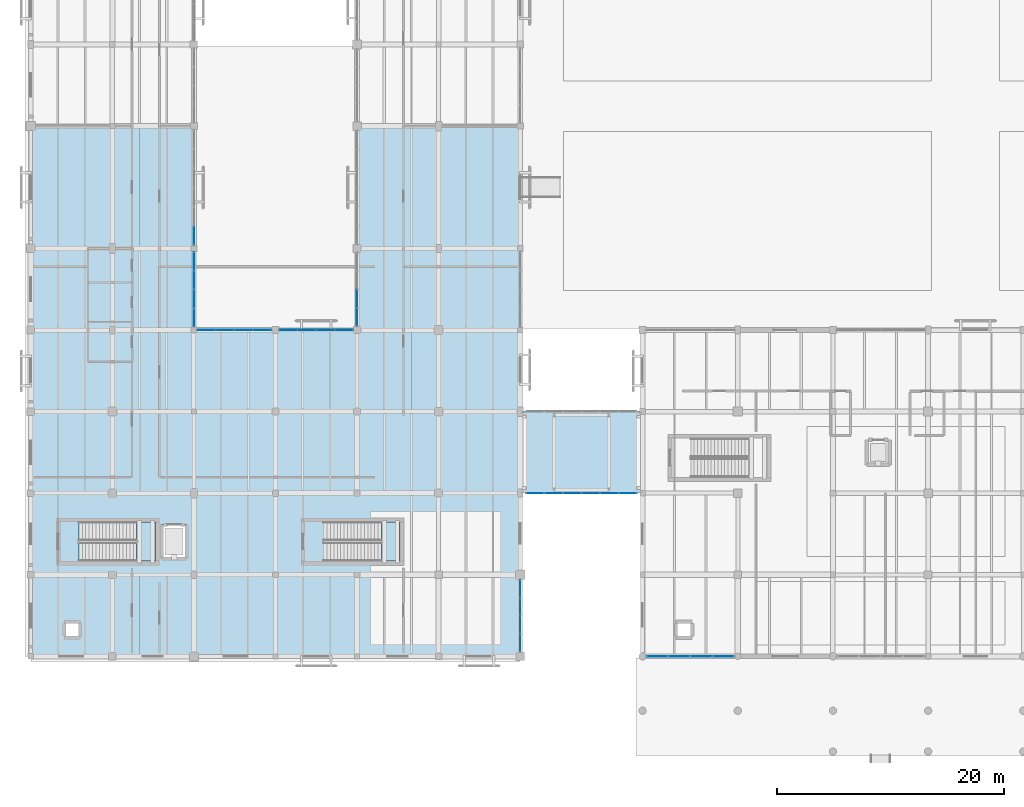
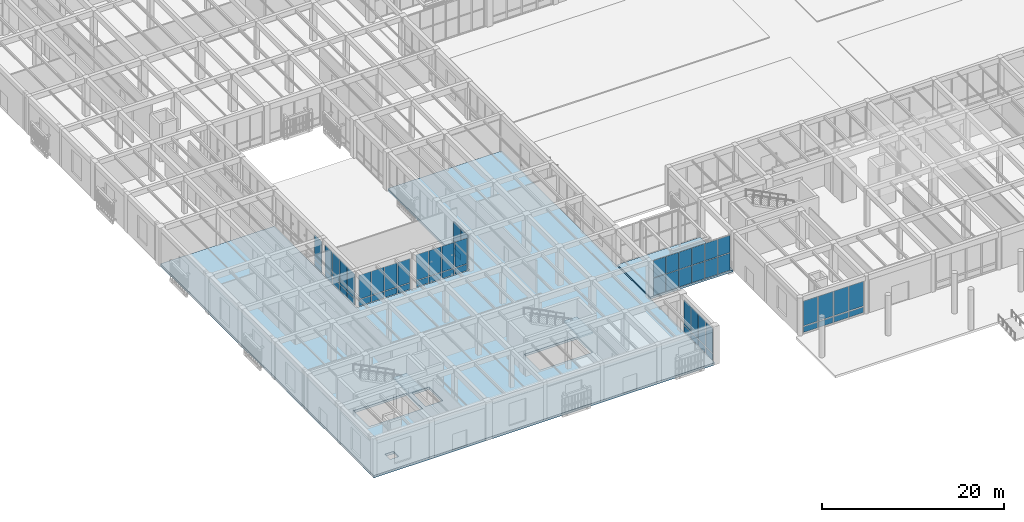
# One storey, part 109 of 169: 58 plates, 4 slabs, 10 elements without a shape of their own.
"""IFC4 building model written with IfcOpenShell, lengths in metres."""

from ifc_helpers import new_model, si_unit, direction, frame, origin, origin_2d, place, context, subcontext, project, spatial, polyline, rectangle, outline, extrude, material, layer, layer_set, type_object, element, aggregate, save


model = new_model("IFC4")

# Units and contexts
model_context = context("Model", 3, precision=1e-05, world=origin(), true_north=direction((0.0, 1.0)))
body_context = subcontext(model_context, "Body", "Model", "MODEL_VIEW")
ifc_project = project(units=[si_unit("LENGTHUNIT", "METRE"), si_unit("AREAUNIT", "SQUARE_METRE"), si_unit("VOLUMEUNIT", "CUBIC_METRE"), si_unit("PLANEANGLEUNIT", "RADIAN"), si_unit("MASSUNIT", "GRAM", prefix="KILO")], contexts=[model_context])

# Site, building, storey
site_placement = place(None, origin())
site = spatial("IfcSite", under=ifc_project, at=site_placement, CompositionType="ELEMENT")
building_placement = place(site_placement, origin())
building = spatial("IfcBuilding", under=site, at=building_placement, Name="Mazaris Harbour Polytechnic", CompositionType="ELEMENT")
storey_placement = place(building_placement, origin())
storey = spatial("IfcBuildingStorey", under=building, at=storey_placement, Name="L00", CompositionType="ELEMENT", Elevation=0.0)

# Slab
ifc_material_1 = material(Name="Glulam GL28h and Concrete C30/37", Category="concrete")
ifc_layer_1 = layer(ifc_material_1, 0.264892578125, Name="Glulam GL28h and Concrete C30/37")
ifc_layer_set_1 = layer_set([ifc_layer_1], Name="Glulam GL28h and Concrete C30/37")
slab_type_1 = type_object("IfcSlabType", Name="CLT Composite Floor 265", PredefinedType="FLOOR", material=ifc_layer_set_1)
slab_1_placement = place(storey_placement, frame((0.0, 0.0, -0.264892578125)))
element("IfcSlab", 1, at=slab_1_placement, inside=storey, type_object=slab_type_1, Name="PB-W1 L00 Bridge Deck", PredefinedType="FLOOR", context=body_context, shape_type="SweptSolid", body=[
    extrude(outline(polyline([(53.85009765625, 21.60009765625), (53.85009765625, 28.800048828125), (43.35009765625, 28.800048828125), (43.35009765625, 21.60009765625), (53.85009765625, 21.60009765625)])), origin(), (0.0, 0.0, 1.0), 0.264892578125),
])

# Curtain wall, plates
ifc_material_2 = material(Name="Anodised Bronze Aluminium and Low-E Glass", Category="aluminium")
ifc_layer_2 = layer(ifc_material_2, 0.179931640625, Name="Anodised Bronze Aluminium and Low-E Glass")
ifc_layer_set_2 = layer_set([ifc_layer_2], Name="Anodised Bronze Aluminium and Low-E Glass")
curtain_wall_type_1 = type_object("IfcCurtainWallType", Name="Harbour Colonnade Curtain Wall", PredefinedType="NOTDEFINED", material=ifc_layer_set_2)
curtain_wall_1_placement = place(storey_placement, origin())
curtain_wall_1 = element("IfcCurtainWall", 2, at=curtain_wall_1_placement, inside=storey, type_object=curtain_wall_type_1, Name="V3 L00 Curtain Wall 60", PredefinedType="NOTDEFINED")
ifc_material_3 = material(Name="Low-E Double Glazing", Category="glass")
ifc_layer_3 = layer(ifc_material_3, 0.028076171875, Name="Low-E Double Glazing")
ifc_layer_set_3 = layer_set([ifc_layer_3], Name="Low-E Double Glazing")
plate_type = type_object("IfcPlateType", Name="Low-E Vision Glass Panel 28", PredefinedType="CURTAIN_PANEL", material=ifc_layer_set_3)
plate_1_placement = place(storey_placement, frame((61.131103515625, 7.199951171875, 0.119873046875), z_axis=(0.0, 0.0, 1.0), x_axis=(-1.0, 0.0, 0.0)))
plate_1 = element("IfcPlate", 3, at=plate_1_placement, type_object=plate_type, Name="CW-01 panel 1.1", PredefinedType="CURTAIN_PANEL", context=body_context, shape_type="SweptSolid", body=[
    extrude(rectangle(XDim=1.803955078125, YDim=0.028076171875, at=origin_2d()), origin(), (0.0, 0.0, 1.0), 0.77001953125),
])
plate_2_placement = place(storey_placement, frame((61.131103515625, 7.199951171875, 1.010009765625), z_axis=(0.0, 0.0, 1.0), x_axis=(-1.0, 0.0, 0.0)))
plate_2 = element("IfcPlate", 4, at=plate_2_placement, type_object=plate_type, Name="CW-01 panel 1.2", PredefinedType="CURTAIN_PANEL", context=body_context, shape_type="SweptSolid", body=[
    extrude(rectangle(XDim=1.803955078125, YDim=0.028076171875, at=origin_2d()), origin(), (0.0, 0.0, 1.0), 3.31005859375),
])
plate_3_placement = place(storey_placement, frame((59.201904296875, 7.199951171875, 0.119873046875), z_axis=(0.0, 0.0, 1.0), x_axis=(-1.0, 0.0, 0.0)))
plate_3 = element("IfcPlate", 5, at=plate_3_placement, type_object=plate_type, Name="CW-01 panel 2.1", PredefinedType="CURTAIN_PANEL", context=body_context, shape_type="SweptSolid", body=[
    extrude(rectangle(XDim=1.85400390625, YDim=0.028076171875, at=origin_2d()), origin(), (0.0, 0.0, 1.0), 0.77001953125),
])
plate_4_placement = place(storey_placement, frame((59.201904296875, 7.199951171875, 1.010009765625), z_axis=(0.0, 0.0, 1.0), x_axis=(-1.0, 0.0, 0.0)))
plate_4 = element("IfcPlate", 6, at=plate_4_placement, type_object=plate_type, Name="CW-01 panel 2.2", PredefinedType="CURTAIN_PANEL", context=body_context, shape_type="SweptSolid", body=[
    extrude(rectangle(XDim=1.85400390625, YDim=0.028076171875, at=origin_2d()), origin(), (0.0, 0.0, 1.0), 3.31005859375),
])
plate_5_placement = place(storey_placement, frame((57.248046875, 7.199951171875, 0.119873046875), z_axis=(0.0, 0.0, 1.0), x_axis=(-1.0, 0.0, 0.0)))
plate_5 = element("IfcPlate", 7, at=plate_5_placement, type_object=plate_type, Name="CW-01 panel 3.1", PredefinedType="CURTAIN_PANEL", context=body_context, shape_type="SweptSolid", body=[
    extrude(rectangle(XDim=1.85400390625, YDim=0.028076171875, at=origin_2d()), origin(), (0.0, 0.0, 1.0), 0.77001953125),
])
plate_6_placement = place(storey_placement, frame((57.248046875, 7.199951171875, 1.010009765625), z_axis=(0.0, 0.0, 1.0), x_axis=(-1.0, 0.0, 0.0)))
plate_6 = element("IfcPlate", 8, at=plate_6_placement, type_object=plate_type, Name="CW-01 panel 3.2", PredefinedType="CURTAIN_PANEL", context=body_context, shape_type="SweptSolid", body=[
    extrude(rectangle(XDim=1.85400390625, YDim=0.028076171875, at=origin_2d()), origin(), (0.0, 0.0, 1.0), 3.31005859375),
])
plate_7_placement = place(storey_placement, frame((55.319091796875, 7.199951171875, 0.119873046875), z_axis=(0.0, 0.0, 1.0), x_axis=(-1.0, 0.0, 0.0)))
plate_7 = element("IfcPlate", 9, at=plate_7_placement, type_object=plate_type, Name="CW-01 panel 4.1", PredefinedType="CURTAIN_PANEL", context=body_context, shape_type="SweptSolid", body=[
    extrude(rectangle(XDim=1.803955078125, YDim=0.028076171875, at=origin_2d()), origin(), (0.0, 0.0, 1.0), 0.77001953125),
])
plate_8_placement = place(storey_placement, frame((55.319091796875, 7.199951171875, 1.010009765625), z_axis=(0.0, 0.0, 1.0), x_axis=(-1.0, 0.0, 0.0)))
plate_8 = element("IfcPlate", 10, at=plate_8_placement, type_object=plate_type, Name="CW-01 panel 4.2", PredefinedType="CURTAIN_PANEL", context=body_context, shape_type="SweptSolid", body=[
    extrude(rectangle(XDim=1.803955078125, YDim=0.028076171875, at=origin_2d()), origin(), (0.0, 0.0, 1.0), 3.31005859375),
])
aggregate(curtain_wall_1, [plate_1, plate_2, plate_3, plate_4, plate_5, plate_6, plate_7, plate_8])

ifc_material_4 = material(Name="Anodised Bronze Aluminium and Low-E Glass", Category="aluminium")
ifc_layer_4 = layer(ifc_material_4, 0.159912109375, Name="Anodised Bronze Aluminium and Low-E Glass")
ifc_layer_set_4 = layer_set([ifc_layer_4], Name="Anodised Bronze Aluminium and Low-E Glass")
curtain_wall_type_2 = type_object("IfcCurtainWallType", Name="Cloister Court Curtain Wall", PredefinedType="NOTDEFINED", material=ifc_layer_set_4)
curtain_wall_2_placement = place(storey_placement, origin())
curtain_wall_2 = element("IfcCurtainWall", 11, at=curtain_wall_2_placement, inside=storey, type_object=curtain_wall_type_2, Name="V4 L00 Curtain Wall 95", PredefinedType="NOTDEFINED")
plate_9_placement = place(storey_placement, frame((43.199951171875, 13.182861328125, 0.080078125), z_axis=(0.0, 0.0, 1.0), x_axis=(0.0, -1.0, 0.0)))
plate_9 = element("IfcPlate", 12, at=plate_9_placement, type_object=plate_type, Name="CW-02 panel 1.1", PredefinedType="CURTAIN_PANEL", context=body_context, shape_type="SweptSolid", body=[
    extrude(rectangle(XDim=1.490234375, YDim=0.028076171875, at=origin_2d()), origin(), (0.0, 0.0, 1.0), 0.830078125),
])
plate_10_placement = place(storey_placement, frame((43.199951171875, 13.182861328125, 0.989990234375), z_axis=(0.0, 0.0, 1.0), x_axis=(0.0, -1.0, 0.0)))
plate_10 = element("IfcPlate", 13, at=plate_10_placement, type_object=plate_type, Name="CW-02 panel 1.2", PredefinedType="CURTAIN_PANEL", context=body_context, shape_type="SweptSolid", body=[
    extrude(rectangle(XDim=1.490234375, YDim=0.028076171875, at=origin_2d()), origin(), (0.0, 0.0, 1.0), 3.3701171875),
])
plate_11_placement = place(storey_placement, frame((43.199951171875, 11.592529296875, 0.080078125), z_axis=(0.0, 0.0, 1.0), x_axis=(0.0, -1.0, 0.0)))
plate_11 = element("IfcPlate", 14, at=plate_11_placement, type_object=plate_type, Name="CW-02 panel 2.1", PredefinedType="CURTAIN_PANEL", context=body_context, shape_type="SweptSolid", body=[
    extrude(rectangle(XDim=1.5302734375, YDim=0.028076171875, at=origin_2d()), origin(), (0.0, 0.0, 1.0), 0.830078125),
])
plate_12_placement = place(storey_placement, frame((43.199951171875, 11.592529296875, 0.989990234375), z_axis=(0.0, 0.0, 1.0), x_axis=(0.0, -1.0, 0.0)))
plate_12 = element("IfcPlate", 15, at=plate_12_placement, type_object=plate_type, Name="CW-02 panel 2.2", PredefinedType="CURTAIN_PANEL", context=body_context, shape_type="SweptSolid", body=[
    extrude(rectangle(XDim=1.5302734375, YDim=0.028076171875, at=origin_2d()), origin(), (0.0, 0.0, 1.0), 3.3701171875),
])
plate_13_placement = place(storey_placement, frame((43.199951171875, 9.982421875, 0.080078125), z_axis=(0.0, 0.0, 1.0), x_axis=(0.0, -1.0, 0.0)))
plate_13 = element("IfcPlate", 16, at=plate_13_placement, type_object=plate_type, Name="CW-02 panel 3.1", PredefinedType="CURTAIN_PANEL", context=body_context, shape_type="SweptSolid", body=[
    extrude(rectangle(XDim=1.5302734375, YDim=0.028076171875, at=origin_2d()), origin(), (0.0, 0.0, 1.0), 0.830078125),
])
plate_14_placement = place(storey_placement, frame((43.199951171875, 9.982421875, 0.989990234375), z_axis=(0.0, 0.0, 1.0), x_axis=(0.0, -1.0, 0.0)))
plate_14 = element("IfcPlate", 17, at=plate_14_placement, type_object=plate_type, Name="CW-02 panel 3.2", PredefinedType="CURTAIN_PANEL", context=body_context, shape_type="SweptSolid", body=[
    extrude(rectangle(XDim=1.5302734375, YDim=0.028076171875, at=origin_2d()), origin(), (0.0, 0.0, 1.0), 3.3701171875),
])
plate_15_placement = place(storey_placement, frame((43.199951171875, 8.39208984375, 0.080078125), z_axis=(0.0, 0.0, 1.0), x_axis=(0.0, -1.0, 0.0)))
plate_15 = element("IfcPlate", 18, at=plate_15_placement, type_object=plate_type, Name="CW-02 panel 4.1", PredefinedType="CURTAIN_PANEL", context=body_context, shape_type="SweptSolid", body=[
    extrude(rectangle(XDim=1.490234375, YDim=0.028076171875, at=origin_2d()), origin(), (0.0, 0.0, 1.0), 0.830078125),
])
plate_16_placement = place(storey_placement, frame((43.199951171875, 8.39208984375, 0.989990234375), z_axis=(0.0, 0.0, 1.0), x_axis=(0.0, -1.0, 0.0)))
plate_16 = element("IfcPlate", 19, at=plate_16_placement, type_object=plate_type, Name="CW-02 panel 4.2", PredefinedType="CURTAIN_PANEL", context=body_context, shape_type="SweptSolid", body=[
    extrude(rectangle(XDim=1.490234375, YDim=0.028076171875, at=origin_2d()), origin(), (0.0, 0.0, 1.0), 3.3701171875),
])
aggregate(curtain_wall_2, [plate_9, plate_10, plate_11, plate_12, plate_13, plate_14, plate_15, plate_16])

curtain_wall_3_placement = place(storey_placement, origin())
curtain_wall_3 = element("IfcCurtainWall", 20, at=curtain_wall_3_placement, inside=storey, type_object=curtain_wall_type_2, Name="V4 L00 Curtain Wall 99", PredefinedType="NOTDEFINED")
plate_17_placement = place(storey_placement, frame((15.4921875, 36.0, 0.080078125), z_axis=(0.0, 0.0, 1.0), x_axis=(1.0, 0.0, 0.0)))
plate_17 = element("IfcPlate", 21, at=plate_17_placement, type_object=plate_type, Name="CW-02 panel 1.1", PredefinedType="CURTAIN_PANEL", context=body_context, shape_type="SweptSolid", body=[
    extrude(rectangle(XDim=1.540283203125, YDim=0.028076171875, at=origin_2d()), origin(), (0.0, 0.0, 1.0), 0.830078125),
])
plate_18_placement = place(storey_placement, frame((15.4921875, 36.0, 0.990234375), z_axis=(0.0, 0.0, 1.0), x_axis=(1.0, 0.0, 0.0)))
plate_18 = element("IfcPlate", 22, at=plate_18_placement, type_object=plate_type, Name="CW-02 panel 1.2", PredefinedType="CURTAIN_PANEL", context=body_context, shape_type="SweptSolid", body=[
    extrude(rectangle(XDim=1.540283203125, YDim=0.028076171875, at=origin_2d()), origin(), (0.0, 0.0, 1.0), 3.219970703125),
])
plate_19_placement = place(storey_placement, frame((17.13232421875, 36.0, 0.080078125), z_axis=(0.0, 0.0, 1.0), x_axis=(1.0, 0.0, 0.0)))
plate_19 = element("IfcPlate", 23, at=plate_19_placement, type_object=plate_type, Name="CW-02 panel 2.1", PredefinedType="CURTAIN_PANEL", context=body_context, shape_type="SweptSolid", body=[
    extrude(rectangle(XDim=1.580322265625, YDim=0.028076171875, at=origin_2d()), origin(), (0.0, 0.0, 1.0), 0.830078125),
])
plate_20_placement = place(storey_placement, frame((17.13232421875, 36.0, 0.990234375), z_axis=(0.0, 0.0, 1.0), x_axis=(1.0, 0.0, 0.0)))
plate_20 = element("IfcPlate", 24, at=plate_20_placement, type_object=plate_type, Name="CW-02 panel 2.2", PredefinedType="CURTAIN_PANEL", context=body_context, shape_type="SweptSolid", body=[
    extrude(rectangle(XDim=1.580322265625, YDim=0.028076171875, at=origin_2d()), origin(), (0.0, 0.0, 1.0), 3.219970703125),
])
plate_21_placement = place(storey_placement, frame((18.792724609375, 36.0, 0.080078125), z_axis=(0.0, 0.0, 1.0), x_axis=(1.0, 0.0, 0.0)))
plate_21 = element("IfcPlate", 25, at=plate_21_placement, type_object=plate_type, Name="CW-02 panel 3.1", PredefinedType="CURTAIN_PANEL", context=body_context, shape_type="SweptSolid", body=[
    extrude(rectangle(XDim=1.580322265625, YDim=0.028076171875, at=origin_2d()), origin(), (0.0, 0.0, 1.0), 0.830078125),
])
plate_22_placement = place(storey_placement, frame((18.792724609375, 36.0, 0.990234375), z_axis=(0.0, 0.0, 1.0), x_axis=(1.0, 0.0, 0.0)))
plate_22 = element("IfcPlate", 26, at=plate_22_placement, type_object=plate_type, Name="CW-02 panel 3.2", PredefinedType="CURTAIN_PANEL", context=body_context, shape_type="SweptSolid", body=[
    extrude(rectangle(XDim=1.580322265625, YDim=0.028076171875, at=origin_2d()), origin(), (0.0, 0.0, 1.0), 3.219970703125),
])
plate_23_placement = place(storey_placement, frame((20.432861328125, 36.0, 0.080078125), z_axis=(0.0, 0.0, 1.0), x_axis=(1.0, 0.0, 0.0)))
plate_23 = element("IfcPlate", 27, at=plate_23_placement, type_object=plate_type, Name="CW-02 panel 4.1", PredefinedType="CURTAIN_PANEL", context=body_context, shape_type="SweptSolid", body=[
    extrude(rectangle(XDim=1.540283203125, YDim=0.028076171875, at=origin_2d()), origin(), (0.0, 0.0, 1.0), 0.830078125),
])
plate_24_placement = place(storey_placement, frame((20.432861328125, 36.0, 0.990234375), z_axis=(0.0, 0.0, 1.0), x_axis=(1.0, 0.0, 0.0)))
plate_24 = element("IfcPlate", 28, at=plate_24_placement, type_object=plate_type, Name="CW-02 panel 4.2", PredefinedType="CURTAIN_PANEL", context=body_context, shape_type="SweptSolid", body=[
    extrude(rectangle(XDim=1.540283203125, YDim=0.028076171875, at=origin_2d()), origin(), (0.0, 0.0, 1.0), 3.219970703125),
])
aggregate(curtain_wall_3, [plate_17, plate_18, plate_19, plate_20, plate_21, plate_22, plate_23, plate_24])

curtain_wall_4_placement = place(storey_placement, origin())
curtain_wall_4 = element("IfcCurtainWall", 29, at=curtain_wall_4_placement, inside=storey, type_object=curtain_wall_type_2, Name="V4 L00 Curtain Wall 100", PredefinedType="NOTDEFINED")
plate_25_placement = place(storey_placement, frame((22.7578125, 36.0, 0.080078125), z_axis=(0.0, 0.0, 1.0), x_axis=(1.0, 0.0, 0.0)))
plate_25 = element("IfcPlate", 30, at=plate_25_placement, type_object=plate_type, Name="CW-02 panel 1.1", PredefinedType="CURTAIN_PANEL", context=body_context, shape_type="SweptSolid", body=[
    extrude(rectangle(XDim=1.521484375, YDim=0.028076171875, at=origin_2d()), origin(), (0.0, 0.0, 1.0), 0.830078125),
])
plate_26_placement = place(storey_placement, frame((22.7578125, 36.0, 0.989990234375), z_axis=(0.0, 0.0, 1.0), x_axis=(1.0, 0.0, 0.0)))
plate_26 = element("IfcPlate", 31, at=plate_26_placement, type_object=plate_type, Name="CW-02 panel 1.2", PredefinedType="CURTAIN_PANEL", context=body_context, shape_type="SweptSolid", body=[
    extrude(rectangle(XDim=1.521484375, YDim=0.028076171875, at=origin_2d()), origin(), (0.0, 0.0, 1.0), 3.419921875),
])
plate_27_placement = place(storey_placement, frame((24.379150390625, 36.0, 0.080078125), z_axis=(0.0, 0.0, 1.0), x_axis=(1.0, 0.0, 0.0)))
plate_27 = element("IfcPlate", 32, at=plate_27_placement, type_object=plate_type, Name="CW-02 panel 2.1", PredefinedType="CURTAIN_PANEL", context=body_context, shape_type="SweptSolid", body=[
    extrude(rectangle(XDim=1.5615234375, YDim=0.028076171875, at=origin_2d()), origin(), (0.0, 0.0, 1.0), 0.830078125),
])
plate_28_placement = place(storey_placement, frame((24.379150390625, 36.0, 0.989990234375), z_axis=(0.0, 0.0, 1.0), x_axis=(1.0, 0.0, 0.0)))
plate_28 = element("IfcPlate", 33, at=plate_28_placement, type_object=plate_type, Name="CW-02 panel 2.2", PredefinedType="CURTAIN_PANEL", context=body_context, shape_type="SweptSolid", body=[
    extrude(rectangle(XDim=1.5615234375, YDim=0.028076171875, at=origin_2d()), origin(), (0.0, 0.0, 1.0), 3.419921875),
])
plate_29_placement = place(storey_placement, frame((26.020751953125, 36.0, 0.080078125), z_axis=(0.0, 0.0, 1.0), x_axis=(1.0, 0.0, 0.0)))
plate_29 = element("IfcPlate", 34, at=plate_29_placement, type_object=plate_type, Name="CW-02 panel 3.1", PredefinedType="CURTAIN_PANEL", context=body_context, shape_type="SweptSolid", body=[
    extrude(rectangle(XDim=1.5615234375, YDim=0.028076171875, at=origin_2d()), origin(), (0.0, 0.0, 1.0), 0.830078125),
])
plate_30_placement = place(storey_placement, frame((26.020751953125, 36.0, 0.989990234375), z_axis=(0.0, 0.0, 1.0), x_axis=(1.0, 0.0, 0.0)))
plate_30 = element("IfcPlate", 35, at=plate_30_placement, type_object=plate_type, Name="CW-02 panel 3.2", PredefinedType="CURTAIN_PANEL", context=body_context, shape_type="SweptSolid", body=[
    extrude(rectangle(XDim=1.5615234375, YDim=0.028076171875, at=origin_2d()), origin(), (0.0, 0.0, 1.0), 3.419921875),
])
plate_31_placement = place(storey_placement, frame((27.642333984375, 36.0, 0.080078125), z_axis=(0.0, 0.0, 1.0), x_axis=(1.0, 0.0, 0.0)))
plate_31 = element("IfcPlate", 36, at=plate_31_placement, type_object=plate_type, Name="CW-02 panel 4.1", PredefinedType="CURTAIN_PANEL", context=body_context, shape_type="SweptSolid", body=[
    extrude(rectangle(XDim=1.521484375, YDim=0.028076171875, at=origin_2d()), origin(), (0.0, 0.0, 1.0), 0.830078125),
])
plate_32_placement = place(storey_placement, frame((27.642333984375, 36.0, 0.989990234375), z_axis=(0.0, 0.0, 1.0), x_axis=(1.0, 0.0, 0.0)))
plate_32 = element("IfcPlate", 37, at=plate_32_placement, type_object=plate_type, Name="CW-02 panel 4.2", PredefinedType="CURTAIN_PANEL", context=body_context, shape_type="SweptSolid", body=[
    extrude(rectangle(XDim=1.521484375, YDim=0.028076171875, at=origin_2d()), origin(), (0.0, 0.0, 1.0), 3.419921875),
])
aggregate(curtain_wall_4, [plate_25, plate_26, plate_27, plate_28, plate_29, plate_30, plate_31, plate_32])

curtain_wall_5_placement = place(storey_placement, origin())
curtain_wall_5 = element("IfcCurtainWall", 38, at=curtain_wall_5_placement, inside=storey, type_object=curtain_wall_type_2, Name="V4 L00 Curtain Wall 103", PredefinedType="NOTDEFINED")
plate_33_placement = place(storey_placement, frame((14.39990234375, 37.098388671875, 0.080078125), z_axis=(0.0, 0.0, 1.0), x_axis=(0.0, 1.0, 0.0)))
plate_33 = element("IfcPlate", 39, at=plate_33_placement, type_object=plate_type, Name="CW-02 panel 1.1", PredefinedType="CURTAIN_PANEL", context=body_context, shape_type="SweptSolid", body=[
    extrude(rectangle(XDim=1.552734375, YDim=0.028076171875, at=origin_2d()), origin(), (0.0, 0.0, 1.0), 0.830078125),
])
plate_34_placement = place(storey_placement, frame((14.39990234375, 37.098388671875, 0.98974609375), z_axis=(0.0, 0.0, 1.0), x_axis=(0.0, 1.0, 0.0)))
plate_34 = element("IfcPlate", 40, at=plate_34_placement, type_object=plate_type, Name="CW-02 panel 1.2", PredefinedType="CURTAIN_PANEL", context=body_context, shape_type="SweptSolid", body=[
    extrude(rectangle(XDim=1.552734375, YDim=0.028076171875, at=origin_2d()), origin(), (0.0, 0.0, 1.0), 3.320068359375),
])
plate_35_placement = place(storey_placement, frame((14.39990234375, 38.751220703125, 0.080078125), z_axis=(0.0, 0.0, 1.0), x_axis=(0.0, 1.0, 0.0)))
plate_35 = element("IfcPlate", 41, at=plate_35_placement, type_object=plate_type, Name="CW-02 panel 2.1", PredefinedType="CURTAIN_PANEL", context=body_context, shape_type="SweptSolid", body=[
    extrude(rectangle(XDim=1.5927734375, YDim=0.028076171875, at=origin_2d()), origin(), (0.0, 0.0, 1.0), 0.830078125),
])
plate_36_placement = place(storey_placement, frame((14.39990234375, 38.751220703125, 0.98974609375), z_axis=(0.0, 0.0, 1.0), x_axis=(0.0, 1.0, 0.0)))
plate_36 = element("IfcPlate", 42, at=plate_36_placement, type_object=plate_type, Name="CW-02 panel 2.2", PredefinedType="CURTAIN_PANEL", context=body_context, shape_type="SweptSolid", body=[
    extrude(rectangle(XDim=1.5927734375, YDim=0.028076171875, at=origin_2d()), origin(), (0.0, 0.0, 1.0), 3.320068359375),
])
plate_37_placement = place(storey_placement, frame((14.39990234375, 40.423828125, 0.080078125), z_axis=(0.0, 0.0, 1.0), x_axis=(0.0, 1.0, 0.0)))
plate_37 = element("IfcPlate", 43, at=plate_37_placement, type_object=plate_type, Name="CW-02 panel 3.1", PredefinedType="CURTAIN_PANEL", context=body_context, shape_type="SweptSolid", body=[
    extrude(rectangle(XDim=1.5927734375, YDim=0.028076171875, at=origin_2d()), origin(), (0.0, 0.0, 1.0), 0.830078125),
])
plate_38_placement = place(storey_placement, frame((14.39990234375, 40.423828125, 0.98974609375), z_axis=(0.0, 0.0, 1.0), x_axis=(0.0, 1.0, 0.0)))
plate_38 = element("IfcPlate", 44, at=plate_38_placement, type_object=plate_type, Name="CW-02 panel 3.2", PredefinedType="CURTAIN_PANEL", context=body_context, shape_type="SweptSolid", body=[
    extrude(rectangle(XDim=1.5927734375, YDim=0.028076171875, at=origin_2d()), origin(), (0.0, 0.0, 1.0), 3.320068359375),
])
plate_39_placement = place(storey_placement, frame((14.39990234375, 42.07666015625, 0.080078125), z_axis=(0.0, 0.0, 1.0), x_axis=(0.0, 1.0, 0.0)))
plate_39 = element("IfcPlate", 45, at=plate_39_placement, type_object=plate_type, Name="CW-02 panel 4.1", PredefinedType="CURTAIN_PANEL", context=body_context, shape_type="SweptSolid", body=[
    extrude(rectangle(XDim=1.552734375, YDim=0.028076171875, at=origin_2d()), origin(), (0.0, 0.0, 1.0), 0.830078125),
])
plate_40_placement = place(storey_placement, frame((14.39990234375, 42.07666015625, 0.98974609375), z_axis=(0.0, 0.0, 1.0), x_axis=(0.0, 1.0, 0.0)))
plate_40 = element("IfcPlate", 46, at=plate_40_placement, type_object=plate_type, Name="CW-02 panel 4.2", PredefinedType="CURTAIN_PANEL", context=body_context, shape_type="SweptSolid", body=[
    extrude(rectangle(XDim=1.552734375, YDim=0.028076171875, at=origin_2d()), origin(), (0.0, 0.0, 1.0), 3.320068359375),
])
aggregate(curtain_wall_5, [plate_33, plate_34, plate_35, plate_36, plate_37, plate_38, plate_39, plate_40])

curtain_wall_6_placement = place(storey_placement, origin())
curtain_wall_6 = element("IfcCurtainWall", 47, at=curtain_wall_6_placement, inside=storey, type_object=curtain_wall_type_2, Name="V4 L00 Curtain Wall 104", PredefinedType="NOTDEFINED")
plate_41_placement = place(storey_placement, frame((14.39990234375, 44.34033203125, 0.080078125), z_axis=(0.0, 0.0, 1.0), x_axis=(0.0, 1.0, 0.0)))
plate_41 = element("IfcPlate", 48, at=plate_41_placement, type_object=plate_type, Name="CW-02 panel 1.1", PredefinedType="CURTAIN_PANEL", context=body_context, shape_type="SweptSolid", body=[
    extrude(rectangle(XDim=1.5869140625, YDim=0.028076171875, at=origin_2d()), origin(), (0.0, 0.0, 1.0), 0.830078125),
])
plate_42_placement = place(storey_placement, frame((14.39990234375, 44.34033203125, 0.989990234375), z_axis=(0.0, 0.0, 1.0), x_axis=(0.0, 1.0, 0.0)))
plate_42 = element("IfcPlate", 49, at=plate_42_placement, type_object=plate_type, Name="CW-02 panel 1.2", PredefinedType="CURTAIN_PANEL", context=body_context, shape_type="SweptSolid", body=[
    extrude(rectangle(XDim=1.5869140625, YDim=0.028076171875, at=origin_2d()), origin(), (0.0, 0.0, 1.0), 3.27001953125),
])
aggregate(curtain_wall_6, [plate_41, plate_42])

curtain_wall_7_placement = place(storey_placement, origin())
curtain_wall_7 = element("IfcCurtainWall", 50, at=curtain_wall_7_placement, inside=storey, type_object=curtain_wall_type_2, Name="V4 L00 Curtain Wall 107", PredefinedType="NOTDEFINED")
plate_43_placement = place(storey_placement, frame((28.800048828125, 38.769775390625, 0.080078125), z_axis=(0.0, 0.0, 1.0), x_axis=(0.0, -1.0, 0.0)))
plate_43 = element("IfcPlate", 51, at=plate_43_placement, type_object=plate_type, Name="CW-02 panel 3.1", PredefinedType="CURTAIN_PANEL", context=body_context, shape_type="SweptSolid", body=[
    extrude(rectangle(XDim=1.55517578125, YDim=0.028076171875, at=origin_2d()), origin(), (0.0, 0.0, 1.0), 0.830078125),
])
plate_44_placement = place(storey_placement, frame((28.800048828125, 38.769775390625, 0.989990234375), z_axis=(0.0, 0.0, 1.0), x_axis=(0.0, -1.0, 0.0)))
plate_44 = element("IfcPlate", 52, at=plate_44_placement, type_object=plate_type, Name="CW-02 panel 3.2", PredefinedType="CURTAIN_PANEL", context=body_context, shape_type="SweptSolid", body=[
    extrude(rectangle(XDim=1.55517578125, YDim=0.028076171875, at=origin_2d()), origin(), (0.0, 0.0, 1.0), 3.3701171875),
])
plate_45_placement = place(storey_placement, frame((28.800048828125, 37.154541015625, 0.080078125), z_axis=(0.0, 0.0, 1.0), x_axis=(0.0, -1.0, 0.0)))
plate_45 = element("IfcPlate", 53, at=plate_45_placement, type_object=plate_type, Name="CW-02 panel 4.1", PredefinedType="CURTAIN_PANEL", context=body_context, shape_type="SweptSolid", body=[
    extrude(rectangle(XDim=1.51513671875, YDim=0.028076171875, at=origin_2d()), origin(), (0.0, 0.0, 1.0), 0.830078125),
])
plate_46_placement = place(storey_placement, frame((28.800048828125, 37.154541015625, 0.989990234375), z_axis=(0.0, 0.0, 1.0), x_axis=(0.0, -1.0, 0.0)))
plate_46 = element("IfcPlate", 54, at=plate_46_placement, type_object=plate_type, Name="CW-02 panel 4.2", PredefinedType="CURTAIN_PANEL", context=body_context, shape_type="SweptSolid", body=[
    extrude(rectangle(XDim=1.51513671875, YDim=0.028076171875, at=origin_2d()), origin(), (0.0, 0.0, 1.0), 3.3701171875),
])
aggregate(curtain_wall_7, [plate_43, plate_44, plate_45, plate_46])

ifc_material_5 = material(Name="Anodised Bronze Aluminium and Low-E Glass", Category="aluminium")
ifc_layer_5 = layer(ifc_material_5, 0.139892578125, Name="Anodised Bronze Aluminium and Low-E Glass")
ifc_layer_set_5 = layer_set([ifc_layer_5], Name="Anodised Bronze Aluminium and Low-E Glass")
curtain_wall_type_3 = type_object("IfcCurtainWallType", Name="Seismic Link Bridge Glazing", PredefinedType="NOTDEFINED", material=ifc_layer_set_5)
curtain_wall_8_placement = place(storey_placement, origin())
curtain_wall_8 = element("IfcCurtainWall", 55, at=curtain_wall_8_placement, inside=storey, type_object=curtain_wall_type_3, Name="PB-W1 L00 Bridge Glazing", PredefinedType="NOTDEFINED")
plate_47_placement = place(storey_placement, frame((44.52001953125, 21.60009765625, 0.080078125), z_axis=(0.0, 0.0, 1.0), x_axis=(1.0, 0.0, 0.0)))
plate_47 = element("IfcPlate", 56, at=plate_47_placement, type_object=plate_type, Name="CW-05 panel 1.1", PredefinedType="CURTAIN_PANEL", context=body_context, shape_type="SweptSolid", body=[
    extrude(rectangle(XDim=1.52001953125, YDim=0.028076171875, at=origin_2d()), origin(), (0.0, 0.0, 1.0), 2.297607421875),
])
plate_48_placement = place(storey_placement, frame((44.52001953125, 21.60009765625, 2.45751953125), z_axis=(0.0, 0.0, 1.0), x_axis=(1.0, 0.0, 0.0)))
plate_48 = element("IfcPlate", 57, at=plate_48_placement, type_object=plate_type, Name="CW-05 panel 1.2", PredefinedType="CURTAIN_PANEL", context=body_context, shape_type="SweptSolid", body=[
    extrude(rectangle(XDim=1.52001953125, YDim=0.028076171875, at=origin_2d()), origin(), (0.0, 0.0, 1.0), 2.297607421875),
])
plate_49_placement = place(storey_placement, frame((46.139892578125, 21.60009765625, 0.080078125), z_axis=(0.0, 0.0, 1.0), x_axis=(1.0, 0.0, 0.0)))
plate_49 = element("IfcPlate", 58, at=plate_49_placement, type_object=plate_type, Name="CW-05 panel 2.1", PredefinedType="CURTAIN_PANEL", context=body_context, shape_type="SweptSolid", body=[
    extrude(rectangle(XDim=1.56005859375, YDim=0.028076171875, at=origin_2d()), origin(), (0.0, 0.0, 1.0), 2.297607421875),
])
plate_50_placement = place(storey_placement, frame((46.139892578125, 21.60009765625, 2.45751953125), z_axis=(0.0, 0.0, 1.0), x_axis=(1.0, 0.0, 0.0)))
plate_50 = element("IfcPlate", 59, at=plate_50_placement, type_object=plate_type, Name="CW-05 panel 2.2", PredefinedType="CURTAIN_PANEL", context=body_context, shape_type="SweptSolid", body=[
    extrude(rectangle(XDim=1.56005859375, YDim=0.028076171875, at=origin_2d()), origin(), (0.0, 0.0, 1.0), 2.297607421875),
])
plate_51_placement = place(storey_placement, frame((47.780029296875, 21.60009765625, 0.080078125), z_axis=(0.0, 0.0, 1.0), x_axis=(1.0, 0.0, 0.0)))
plate_51 = element("IfcPlate", 60, at=plate_51_placement, type_object=plate_type, Name="CW-05 panel 3.1", PredefinedType="CURTAIN_PANEL", context=body_context, shape_type="SweptSolid", body=[
    extrude(rectangle(XDim=1.56005859375, YDim=0.028076171875, at=origin_2d()), origin(), (0.0, 0.0, 1.0), 2.297607421875),
])
plate_52_placement = place(storey_placement, frame((47.780029296875, 21.60009765625, 2.45751953125), z_axis=(0.0, 0.0, 1.0), x_axis=(1.0, 0.0, 0.0)))
plate_52 = element("IfcPlate", 61, at=plate_52_placement, type_object=plate_type, Name="CW-05 panel 3.2", PredefinedType="CURTAIN_PANEL", context=body_context, shape_type="SweptSolid", body=[
    extrude(rectangle(XDim=1.56005859375, YDim=0.028076171875, at=origin_2d()), origin(), (0.0, 0.0, 1.0), 2.297607421875),
])
plate_53_placement = place(storey_placement, frame((49.419921875, 21.60009765625, 0.080078125), z_axis=(0.0, 0.0, 1.0), x_axis=(1.0, 0.0, 0.0)))
plate_53 = element("IfcPlate", 62, at=plate_53_placement, type_object=plate_type, Name="CW-05 panel 4.1", PredefinedType="CURTAIN_PANEL", context=body_context, shape_type="SweptSolid", body=[
    extrude(rectangle(XDim=1.56005859375, YDim=0.028076171875, at=origin_2d()), origin(), (0.0, 0.0, 1.0), 2.297607421875),
])
plate_54_placement = place(storey_placement, frame((49.419921875, 21.60009765625, 2.45751953125), z_axis=(0.0, 0.0, 1.0), x_axis=(1.0, 0.0, 0.0)))
plate_54 = element("IfcPlate", 63, at=plate_54_placement, type_object=plate_type, Name="CW-05 panel 4.2", PredefinedType="CURTAIN_PANEL", context=body_context, shape_type="SweptSolid", body=[
    extrude(rectangle(XDim=1.56005859375, YDim=0.028076171875, at=origin_2d()), origin(), (0.0, 0.0, 1.0), 2.297607421875),
])
plate_55_placement = place(storey_placement, frame((51.06005859375, 21.60009765625, 0.080078125), z_axis=(0.0, 0.0, 1.0), x_axis=(1.0, 0.0, 0.0)))
plate_55 = element("IfcPlate", 64, at=plate_55_placement, type_object=plate_type, Name="CW-05 panel 5.1", PredefinedType="CURTAIN_PANEL", context=body_context, shape_type="SweptSolid", body=[
    extrude(rectangle(XDim=1.56005859375, YDim=0.028076171875, at=origin_2d()), origin(), (0.0, 0.0, 1.0), 2.297607421875),
])
plate_56_placement = place(storey_placement, frame((51.06005859375, 21.60009765625, 2.45751953125), z_axis=(0.0, 0.0, 1.0), x_axis=(1.0, 0.0, 0.0)))
plate_56 = element("IfcPlate", 65, at=plate_56_placement, type_object=plate_type, Name="CW-05 panel 5.2", PredefinedType="CURTAIN_PANEL", context=body_context, shape_type="SweptSolid", body=[
    extrude(rectangle(XDim=1.56005859375, YDim=0.028076171875, at=origin_2d()), origin(), (0.0, 0.0, 1.0), 2.297607421875),
])
plate_57_placement = place(storey_placement, frame((52.679931640625, 21.60009765625, 0.080078125), z_axis=(0.0, 0.0, 1.0), x_axis=(1.0, 0.0, 0.0)))
plate_57 = element("IfcPlate", 66, at=plate_57_placement, type_object=plate_type, Name="CW-05 panel 6.1", PredefinedType="CURTAIN_PANEL", context=body_context, shape_type="SweptSolid", body=[
    extrude(rectangle(XDim=1.52001953125, YDim=0.028076171875, at=origin_2d()), origin(), (0.0, 0.0, 1.0), 2.297607421875),
])
plate_58_placement = place(storey_placement, frame((52.679931640625, 21.60009765625, 2.45751953125), z_axis=(0.0, 0.0, 1.0), x_axis=(1.0, 0.0, 0.0)))
plate_58 = element("IfcPlate", 67, at=plate_58_placement, type_object=plate_type, Name="CW-05 panel 6.2", PredefinedType="CURTAIN_PANEL", context=body_context, shape_type="SweptSolid", body=[
    extrude(rectangle(XDim=1.52001953125, YDim=0.028076171875, at=origin_2d()), origin(), (0.0, 0.0, 1.0), 2.297607421875),
])
aggregate(curtain_wall_8, [plate_47, plate_48, plate_49, plate_50, plate_51, plate_52, plate_53, plate_54, plate_55, plate_56, plate_57, plate_58])

# Slab
ifc_material_6 = material(Name="Concrete C35/45", Category="concrete")
ifc_layer_6 = layer(ifc_material_6, 0.320068359375, Name="Concrete C35/45")
ifc_layer_set_6 = layer_set([ifc_layer_6], Name="Concrete C35/45")
slab_type_2 = type_object("IfcSlabType", Name="RC Podium Slab 320", PredefinedType="FLOOR", material=ifc_layer_set_6)
slab_2_placement = place(storey_placement, frame((0.0, 0.0, -0.320068359375)))
element("IfcSlab", 68, at=slab_2_placement, inside=storey, type_object=slab_type_2, Name="V4 L00 Floor Slab", PredefinedType="FLOOR", context=body_context, shape_type="SweptSolid", body=[
    extrude(outline(polyline([(43.199951171875, 7.199951171875), (0.0, 7.199951171875), (0.0, 54.0), (14.39990234375, 54.0), (14.39990234375, 36.0), (28.800048828125, 36.0), (28.800048828125, 54.0), (43.199951171875, 54.0), (43.199951171875, 7.199951171875)]), holes=[polyline([(4.27490234375, 15.60009765625), (11.0, 15.60009765625), (11.0, 19.050048828125), (4.27490234375, 19.050048828125), (4.27490234375, 15.60009765625)]), polyline([(25.875, 19.050048828125), (25.875, 15.60009765625), (32.60009765625, 15.60009765625), (32.60009765625, 19.050048828125), (25.875, 19.050048828125)]), polyline([(13.75, 18.824951171875), (11.550048828125, 18.824951171875), (11.550048828125, 15.824951171875), (13.75, 15.824951171875), (13.75, 18.824951171875)]), polyline([(3.10009765625, 9.0), (4.219970703125, 9.0), (4.219970703125, 10.1201171875), (3.10009765625, 10.1201171875), (3.10009765625, 9.0)])]), origin(), (0.0, 0.0, 1.0), 0.320068359375),
])

# Stair, slab
ifc_material_7 = material(Name="Concrete C40/50", Category="concrete")
stair_type = type_object("IfcStairType", Name="Core Exit Stair H5400", PredefinedType="HALF_TURN_STAIR", material=ifc_material_7)
stair_1_placement = place(storey_placement, origin())
stair_1 = element("IfcStair", 69, at=stair_1_placement, inside=storey, type_object=stair_type, Name="L00 ST07", PredefinedType="HALF_TURN_STAIR")
ifc_material_8 = material(Name="Concrete C40/50", Category="concrete")
ifc_layer_7 = layer(ifc_material_8, 0.199951171875, Name="Concrete C40/50")
ifc_layer_set_7 = layer_set([ifc_layer_7], Name="Concrete C40/50")
slab_type_3 = type_object("IfcSlabType", Name="RC Stair Landing 200", PredefinedType="LANDING", material=ifc_layer_set_7)
slab_3_placement = place(storey_placement, frame((0.0, 0.0, 2.5)))
slab_3 = element("IfcSlab", 70, at=slab_3_placement, type_object=slab_type_3, Name="ST07 landing 1", PredefinedType="LANDING", context=body_context, shape_type="SweptSolid", body=[
    extrude(outline(polyline([(9.35009765625, 15.60009765625), (11.0, 15.60009765625), (11.0, 19.050048828125), (9.35009765625, 19.050048828125), (9.35009765625, 15.60009765625)])), origin(), (0.0, 0.0, 1.0), 0.199951171875),
])
aggregate(stair_1, [slab_3])

stair_2_placement = place(storey_placement, origin())
stair_2 = element("IfcStair", 71, at=stair_2_placement, inside=storey, type_object=stair_type, Name="L00 ST08", PredefinedType="HALF_TURN_STAIR")
slab_4_placement = place(storey_placement, frame((0.0, 0.0, 2.5)))
slab_4 = element("IfcSlab", 72, at=slab_4_placement, type_object=slab_type_3, Name="ST08 landing 1", PredefinedType="LANDING", context=body_context, shape_type="SweptSolid", body=[
    extrude(outline(polyline([(30.949951171875, 15.60009765625), (32.60009765625, 15.60009765625), (32.60009765625, 19.050048828125), (30.949951171875, 19.050048828125), (30.949951171875, 15.60009765625)])), origin(), (0.0, 0.0, 1.0), 0.199951171875),
])
aggregate(stair_2, [slab_4])

save(model, "model.ifc")
